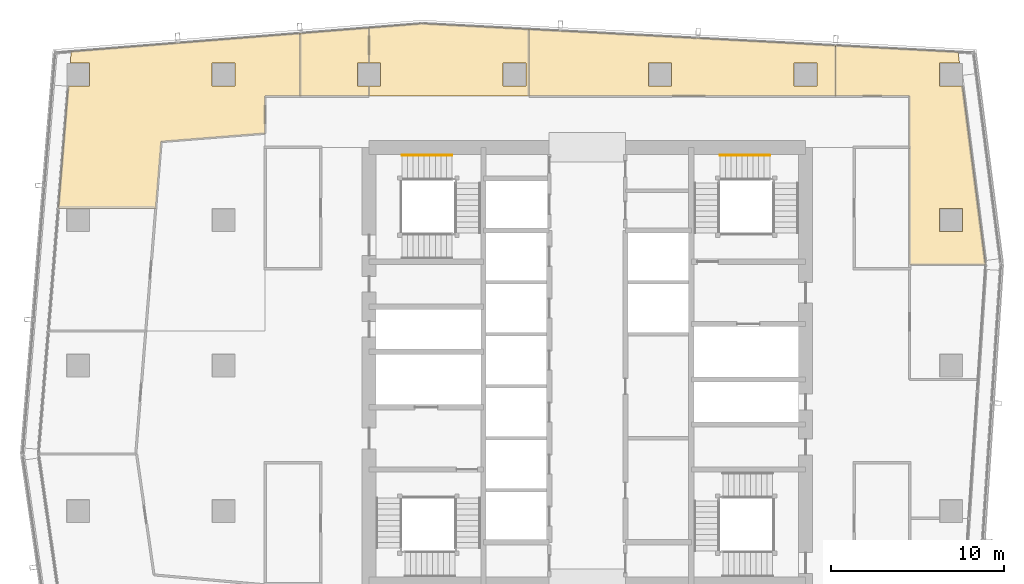
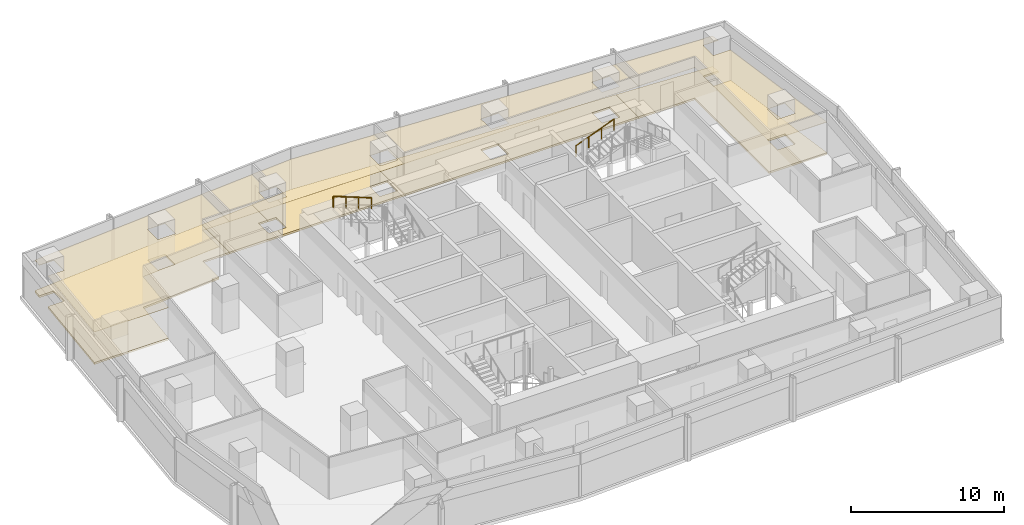
# One storey, part 30 of 30: 10 coverings, 2 railings.
"""IFC4 building model written with IfcOpenShell, lengths in metres."""

from ifc_helpers import new_model, si_unit, direction, frame, origin, origin_2d, place, context, subcontext, project, spatial, polyline, circle, outline, extrude, material, layer, layer_set, type_object, element, save


model = new_model("IFC4")

# Units and contexts
model_context = context("Model", 3, precision=1e-05, world=origin(), true_north=direction((0.0, 1.0)))
body_context = subcontext(model_context, "Body", "Model", "MODEL_VIEW")
ifc_project = project(units=[si_unit("LENGTHUNIT", "METRE"), si_unit("AREAUNIT", "SQUARE_METRE"), si_unit("VOLUMEUNIT", "CUBIC_METRE"), si_unit("PLANEANGLEUNIT", "RADIAN"), si_unit("MASSUNIT", "GRAM", prefix="KILO")], contexts=[model_context])

# Site, building, storey
site_placement = place(None, origin())
site = spatial("IfcSite", under=ifc_project, at=site_placement, CompositionType="ELEMENT")
building_placement = place(site_placement, origin())
building = spatial("IfcBuilding", under=site, at=building_placement, Name="Rekha Terrace Tower", CompositionType="ELEMENT")
storey_placement = place(building_placement, frame((0.0, 0.0, 272.60009765625)))
storey = spatial("IfcBuildingStorey", under=building, at=storey_placement, Name="L69", CompositionType="ELEMENT", Elevation=272.60009765625)

# Coverings
ifc_material_1 = material(Name="Mineral fibre tile in exposed grid", Category="finish")
ifc_layer_1 = layer(ifc_material_1, 0.02001953125)
ifc_layer_set_1 = layer_set([ifc_layer_1], Name="Mineral fibre tile in exposed grid")
covering_type_1 = type_object("IfcCoveringType", Name="CL1 600x1200 office grid ceiling", PredefinedType="CEILING", material=ifc_layer_set_1)
covering_1_placement = place(storey_placement, frame((0.0, 0.0, 2.579833984375)))
element("IfcCovering", 1, at=covering_1_placement, inside=storey, type_object=covering_type_1, Name="Ceiling L69-03", PredefinedType="CEILING", context=body_context, shape_type="SweptSolid", body=[
    extrude(outline(polyline([(59.199951171875, 51.7060546875), (52.123046875, 52.08203125), (52.123046875, 49.14990234375), (56.39990234375, 49.14990234375), (56.39990234375, 39.43994140625), (60.781005859375, 39.43994140625), (59.4541015625, 49.735107421875), (58.135009765625, 49.735107421875), (58.135009765625, 51.06494140625), (59.282958984375, 51.06494140625), (59.199951171875, 51.7060546875)]), holes=[polyline([(59.465087890625, 41.3349609375), (58.135009765625, 41.3349609375), (58.135009765625, 42.6650390625), (59.465087890625, 42.6650390625), (59.465087890625, 41.3349609375)])]), origin(), (0.0, 0.0, 1.0), 0.02001953125),
])
covering_2_placement = place(storey_placement, frame((0.0, 0.0, 2.579833984375)))
element("IfcCovering", 2, at=covering_2_placement, inside=storey, type_object=covering_type_1, Name="Ceiling L69-04", PredefinedType="CEILING", context=body_context, shape_type="SweptSolid", body=[
    extrude(outline(polyline([(52.123046875, 49.14990234375), (52.123046875, 52.08203125), (44.172119140625, 52.5048828125), (34.41796875, 53.02294921875), (34.41796875, 49.14990234375), (52.123046875, 49.14990234375)]), holes=[polyline([(51.06494140625, 51.06494140625), (51.06494140625, 49.735107421875), (49.735107421875, 49.735107421875), (49.735107421875, 51.06494140625), (51.06494140625, 51.06494140625)]), polyline([(42.6650390625, 49.735107421875), (41.3349609375, 49.735107421875), (41.3349609375, 51.06494140625), (42.6650390625, 51.06494140625), (42.6650390625, 49.735107421875)])]), origin(), (0.0, 0.0, 1.0), 0.02001953125),
])
covering_3_placement = place(storey_placement, frame((0.0, 0.0, 2.579833984375)))
element("IfcCovering", 3, at=covering_3_placement, inside=storey, type_object=covering_type_1, Name="Ceiling L69-05", PredefinedType="CEILING", context=body_context, shape_type="SweptSolid", body=[
    extrude(outline(polyline([(25.205078125, 51.06494140625), (25.205078125, 53.10498046875), (21.22705078125, 52.7880859375), (21.22705078125, 49.14990234375), (25.205078125, 49.14990234375), (25.205078125, 49.735107421875), (24.534912109375, 49.735107421875), (24.534912109375, 51.06494140625), (25.205078125, 51.06494140625)])), origin(), (0.0, 0.0, 1.0), 0.02001953125),
])
covering_4_placement = place(storey_placement, frame((0.0, 0.0, 2.579833984375)))
element("IfcCovering", 4, at=covering_4_placement, inside=storey, type_object=covering_type_1, Name="Ceiling L69-06", PredefinedType="CEILING", context=body_context, shape_type="SweptSolid", body=[
    extrude(outline(polyline([(7.26611328125, 42.656982421875), (7.735107421875, 42.656982421875), (7.735107421875, 42.6650390625), (9.06494140625, 42.6650390625), (9.06494140625, 42.656982421875), (12.884033203125, 42.656982421875), (13.198974609375, 46.530029296875), (19.199951171875, 47.008056640625), (19.199951171875, 49.14990234375), (21.22607421875, 49.14990234375), (21.22607421875, 52.7880859375), (8.00390625, 51.73291015625), (7.949951171875, 51.06494140625), (9.06494140625, 51.06494140625), (9.06494140625, 49.735107421875), (7.842041015625, 49.735107421875), (7.26611328125, 42.656982421875)]), holes=[polyline([(17.465087890625, 49.735107421875), (16.135009765625, 49.735107421875), (16.135009765625, 51.06494140625), (17.465087890625, 51.06494140625), (17.465087890625, 49.735107421875)])]), origin(), (0.0, 0.0, 1.0), 0.02001953125),
])
covering_5_placement = place(storey_placement, frame((0.0, 0.0, 2.579833984375)))
element("IfcCovering", 5, at=covering_5_placement, inside=storey, type_object=covering_type_1, Name="Ceiling L69-O1", PredefinedType="CEILING", context=body_context, shape_type="SweptSolid", body=[
    extrude(outline(polyline([(25.205078125, 49.735107421875), (25.205078125, 49.14990234375), (34.41796875, 49.14990234375), (34.41796875, 53.02294921875), (28.27294921875, 53.35009765625), (25.205078125, 53.10498046875), (25.205078125, 51.06494140625), (25.864990234375, 51.06494140625), (25.864990234375, 49.735107421875), (25.205078125, 49.735107421875)]), holes=[polyline([(34.264892578125, 49.735107421875), (32.93505859375, 49.735107421875), (32.93505859375, 51.06494140625), (34.264892578125, 51.06494140625), (34.264892578125, 49.735107421875)])]), origin(), (0.0, 0.0, 1.0), 0.02001953125),
])

# Railings
ifc_material_2 = material(Name="Stainless steel tube", Category="steel")
railing_type = type_object("IfcRailingType", Name="HR1 900 stair handrail", PredefinedType="HANDRAIL", material=ifc_material_2)
railing_1_placement = place(storey_placement, frame((45.449951171875, 45.739990234375, 1.375)))
element("IfcRailing", 6, at=railing_1_placement, inside=storey, type_object=railing_type, Name="Handrail ST2 L69 flight 2", PredefinedType="HANDRAIL", context=body_context, shape_type="SweptSolid", body=[
    extrude(circle(Radius=0.02392578125, at=origin_2d()), frame((0.0, 0.0, 0.8759765625), z_axis=(0.931462784923, 0.0, 0.363836612098), x_axis=(0.0, 1.0, 0.0)), (0.0, 0.0, 1.0), 3.092041015625),
    extrude(circle(Radius=0.02099609375, at=origin_2d()), origin(), (0.0, 0.0, 1.0), 0.851806640625),
    extrude(circle(Radius=0.02099609375, at=origin_2d()), frame((0.9599609375, 0.0, 0.375)), (0.0, 0.0, 1.0), 0.851806640625),
    extrude(circle(Radius=0.02099609375, at=origin_2d()), frame((1.920166015625, 0.0, 0.75)), (0.0, 0.0, 1.0), 0.851806640625),
    extrude(circle(Radius=0.02099609375, at=origin_2d()), frame((2.880126953125, 0.0, 1.125)), (0.0, 0.0, 1.0), 0.851806640625),
])
railing_2_placement = place(storey_placement, frame((29.97998046875, 45.739990234375, 2.625)))
element("IfcRailing", 7, at=railing_2_placement, inside=storey, type_object=railing_type, Name="Handrail ST4 L69 flight 3", PredefinedType="HANDRAIL", context=body_context, shape_type="SweptSolid", body=[
    extrude(circle(Radius=0.02392578125, at=origin_2d()), frame((0.0, 0.0, 0.8759765625), z_axis=(-0.931452331594, 0.0, 0.363863372667), x_axis=(0.0, -1.0, 0.0)), (0.0, 0.0, 1.0), 3.091796875),
    extrude(circle(Radius=0.02099609375, at=origin_2d()), origin(), (0.0, 0.0, 1.0), 0.851806640625),
    extrude(circle(Radius=0.02099609375, at=origin_2d()), frame((-0.9599609375, 0.0, 0.375)), (0.0, 0.0, 1.0), 0.851806640625),
    extrude(circle(Radius=0.02099609375, at=origin_2d()), frame((-1.919921875, 0.0, 0.75)), (0.0, 0.0, 1.0), 0.851806640625),
    extrude(circle(Radius=0.02099609375, at=origin_2d()), frame((-2.8798828125, 0.0, 1.125)), (0.0, 0.0, 1.0), 0.851806640625),
])

# Coverings
ifc_material_3 = material(Name="Calcium sulphate panels on steel pedestals", Category="steel")
ifc_layer_2 = layer(ifc_material_3, 0.14990234375)
ifc_layer_set_2 = layer_set([ifc_layer_2], Name="Calcium sulphate panels on steel pedestals")
covering_type_2 = type_object("IfcCoveringType", Name="RF1 150 raised access floor", PredefinedType="FLOORING", material=ifc_layer_set_2)
covering_6_placement = place(storey_placement, origin())
element("IfcCovering", 8, at=covering_6_placement, inside=storey, type_object=covering_type_2, Name="Raised floor L69-03", PredefinedType="FLOORING", context=body_context, shape_type="SweptSolid", body=[
    extrude(outline(polyline([(59.199951171875, 51.7060546875), (52.123046875, 52.08203125), (52.123046875, 49.14990234375), (56.39990234375, 49.14990234375), (56.39990234375, 39.43994140625), (60.781005859375, 39.43994140625), (59.4541015625, 49.735107421875), (58.135009765625, 49.735107421875), (58.135009765625, 51.06494140625), (59.282958984375, 51.06494140625), (59.199951171875, 51.7060546875)]), holes=[polyline([(59.465087890625, 41.3349609375), (58.135009765625, 41.3349609375), (58.135009765625, 42.6650390625), (59.465087890625, 42.6650390625), (59.465087890625, 41.3349609375)])]), origin(), (0.0, 0.0, 1.0), 0.14990234375),
])
covering_7_placement = place(storey_placement, origin())
element("IfcCovering", 9, at=covering_7_placement, inside=storey, type_object=covering_type_2, Name="Raised floor L69-04", PredefinedType="FLOORING", context=body_context, shape_type="SweptSolid", body=[
    extrude(outline(polyline([(52.123046875, 49.14990234375), (52.123046875, 52.08203125), (44.172119140625, 52.5048828125), (34.41796875, 53.02294921875), (34.41796875, 49.14990234375), (52.123046875, 49.14990234375)]), holes=[polyline([(51.06494140625, 51.06494140625), (51.06494140625, 49.735107421875), (49.735107421875, 49.735107421875), (49.735107421875, 51.06494140625), (51.06494140625, 51.06494140625)]), polyline([(42.6650390625, 49.735107421875), (41.3349609375, 49.735107421875), (41.3349609375, 51.06494140625), (42.6650390625, 51.06494140625), (42.6650390625, 49.735107421875)])]), origin(), (0.0, 0.0, 1.0), 0.14990234375),
])
covering_8_placement = place(storey_placement, origin())
element("IfcCovering", 10, at=covering_8_placement, inside=storey, type_object=covering_type_2, Name="Raised floor L69-05", PredefinedType="FLOORING", context=body_context, shape_type="SweptSolid", body=[
    extrude(outline(polyline([(25.205078125, 51.06494140625), (25.205078125, 53.10498046875), (21.22705078125, 52.7880859375), (21.22705078125, 49.14990234375), (25.205078125, 49.14990234375), (25.205078125, 49.735107421875), (24.534912109375, 49.735107421875), (24.534912109375, 51.06494140625), (25.205078125, 51.06494140625)])), origin(), (0.0, 0.0, 1.0), 0.14990234375),
])
covering_9_placement = place(storey_placement, origin())
element("IfcCovering", 11, at=covering_9_placement, inside=storey, type_object=covering_type_2, Name="Raised floor L69-06", PredefinedType="FLOORING", context=body_context, shape_type="SweptSolid", body=[
    extrude(outline(polyline([(7.26611328125, 42.656982421875), (7.735107421875, 42.656982421875), (7.735107421875, 42.6650390625), (9.06494140625, 42.6650390625), (9.06494140625, 42.656982421875), (12.884033203125, 42.656982421875), (13.198974609375, 46.530029296875), (19.199951171875, 47.008056640625), (19.199951171875, 49.14990234375), (21.22607421875, 49.14990234375), (21.22607421875, 52.7880859375), (8.00390625, 51.73291015625), (7.949951171875, 51.06494140625), (9.06494140625, 51.06494140625), (9.06494140625, 49.735107421875), (7.842041015625, 49.735107421875), (7.26611328125, 42.656982421875)]), holes=[polyline([(17.465087890625, 49.735107421875), (16.135009765625, 49.735107421875), (16.135009765625, 51.06494140625), (17.465087890625, 51.06494140625), (17.465087890625, 49.735107421875)])]), origin(), (0.0, 0.0, 1.0), 0.14990234375),
])
covering_10_placement = place(storey_placement, origin())
element("IfcCovering", 12, at=covering_10_placement, inside=storey, type_object=covering_type_2, Name="Raised floor L69-O1", PredefinedType="FLOORING", context=body_context, shape_type="SweptSolid", body=[
    extrude(outline(polyline([(25.205078125, 49.735107421875), (25.205078125, 49.14990234375), (34.41796875, 49.14990234375), (34.41796875, 53.02294921875), (28.27294921875, 53.35009765625), (25.205078125, 53.10498046875), (25.205078125, 51.06494140625), (25.864990234375, 51.06494140625), (25.864990234375, 49.735107421875), (25.205078125, 49.735107421875)]), holes=[polyline([(34.264892578125, 49.735107421875), (32.93505859375, 49.735107421875), (32.93505859375, 51.06494140625), (34.264892578125, 51.06494140625), (34.264892578125, 49.735107421875)])]), origin(), (0.0, 0.0, 1.0), 0.14990234375),
])

save(model, "model.ifc")
